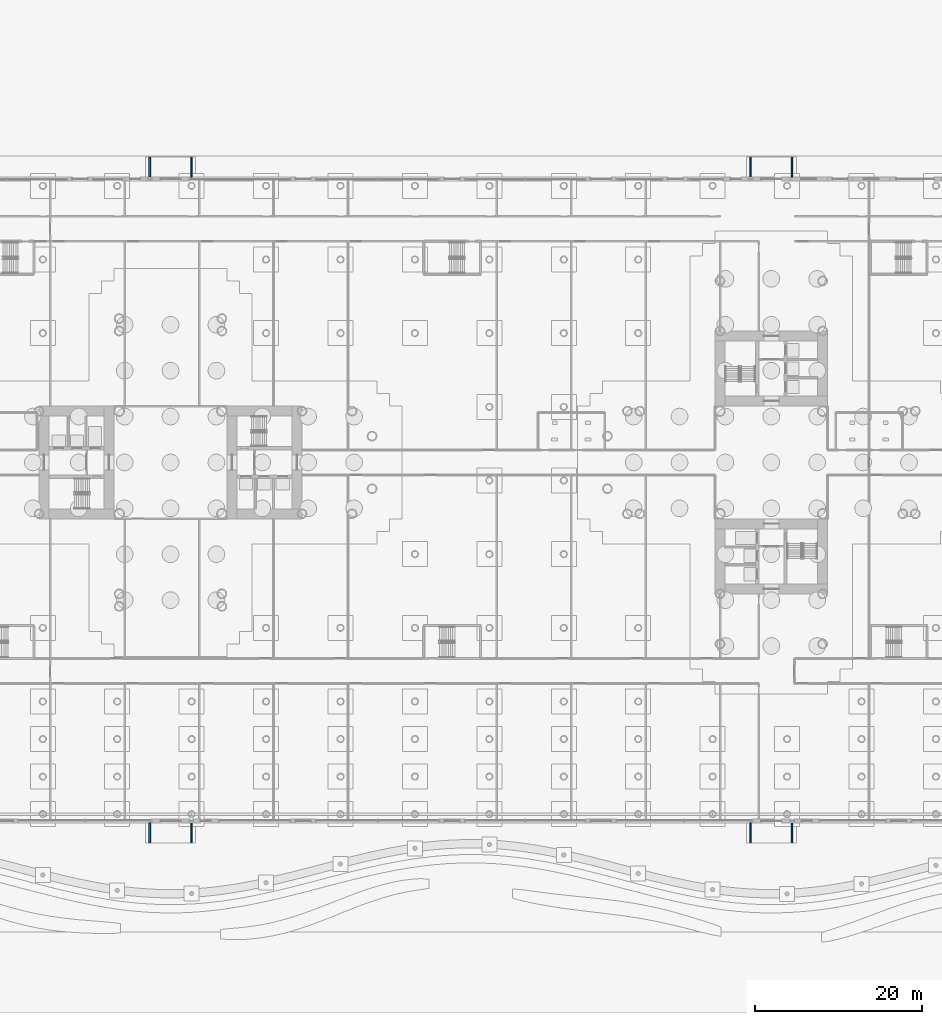
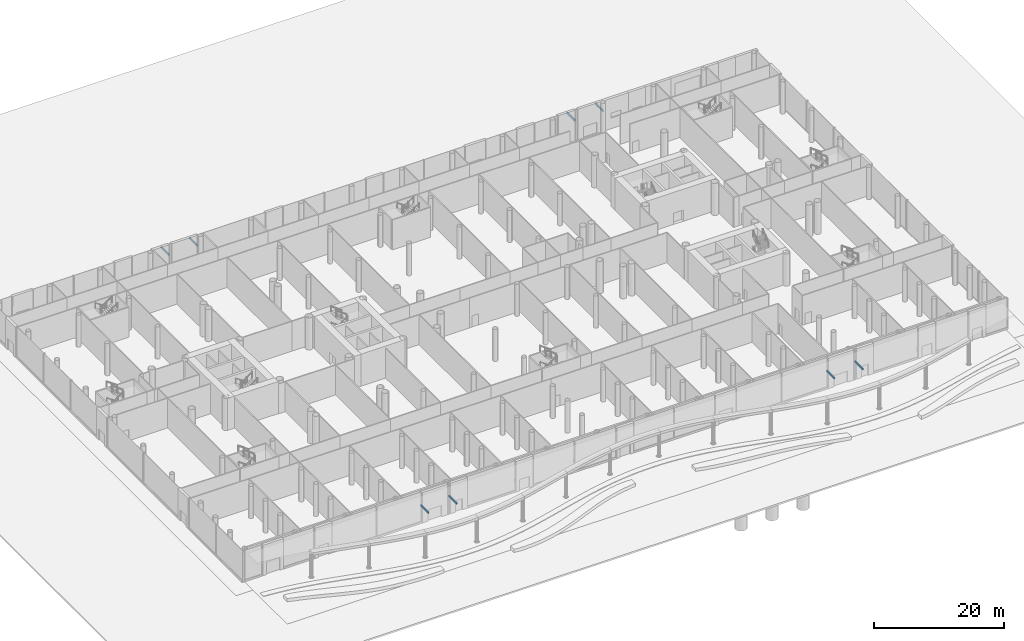
# One storey, part 39 of 75: 8 discrete accessories.
"""IFC4 building model written with IfcOpenShell, lengths in metres."""

from ifc_helpers import new_model, si_unit, direction, frame, origin, origin_2d, place, context, subcontext, project, spatial, rectangle, extrude, material, type_object, element, save


model = new_model("IFC4")

# Units and contexts
model_context = context("Model", 3, precision=1e-05, world=origin(), true_north=direction((0.0, 1.0)))
body_context = subcontext(model_context, "Body", "Model", "MODEL_VIEW")
ifc_project = project(units=[si_unit("LENGTHUNIT", "METRE"), si_unit("AREAUNIT", "SQUARE_METRE"), si_unit("VOLUMEUNIT", "CUBIC_METRE"), si_unit("PLANEANGLEUNIT", "RADIAN"), si_unit("MASSUNIT", "GRAM", prefix="KILO")], contexts=[model_context])

# Site, building, storey
site_placement = place(None, origin())
site = spatial("IfcSite", under=ifc_project, at=site_placement, CompositionType="ELEMENT")
building_placement = place(site_placement, origin())
building = spatial("IfcBuilding", under=site, at=building_placement, Name="Ipe Terrace Towers", CompositionType="ELEMENT")
storey_placement = place(building_placement, origin())
storey = spatial("IfcBuildingStorey", under=building, at=storey_placement, Name="L00", CompositionType="ELEMENT", Elevation=0.0)

# Discrete accessories
ifc_material = material(Name="Stainless steel S316", Category="steel")
discrete_accessory_type = type_object("IfcDiscreteAccessoryType", Name="CANOPY BRACKET", PredefinedType="BRACKET", material=ifc_material)
for number, where, z_axis, x_axis, name in (
    (1, (33.5, 35.389892578125, 3.2998046875), (0.0, 0.0, 1.0), (1.0, 0.0, 0.0), "canopy bracket"),
    (2, (38.5, 35.389892578125, 3.2998046875), (0.0, 0.0, 1.0), (1.0, 0.0, 0.0), "canopy bracket"),
    (3, (-38.5, 35.389892578125, 3.2998046875), (0.0, 0.0, 1.0), (1.0, 0.0, 0.0), "canopy bracket"),
    (4, (-33.5, 35.389892578125, 3.2998046875), (0.0, 0.0, 1.0), (1.0, 0.0, 0.0), "canopy bracket"),
    (5, (-38.5, -44.389892578125, 3.2998046875), (0.0, 0.0, 1.0), (1.0, 0.0, 0.0), "canopy bracket"),
    (6, (-33.5, -44.389892578125, 3.2998046875), (0.0, 0.0, 1.0), (1.0, 0.0, 0.0), "canopy bracket"),
    (7, (33.5, -44.389892578125, 3.2998046875), (0.0, 0.0, 1.0), (1.0, 0.0, 0.0), "canopy bracket"),
    (8, (38.5, -44.389892578125, 3.2998046875), (0.0, 0.0, 1.0), (1.0, 0.0, 0.0), "canopy bracket"),
):
    element("IfcDiscreteAccessory", number, at=place(storey_placement, frame(where, z_axis=z_axis, x_axis=x_axis)), inside=storey, type_object=discrete_accessory_type, Name=name, PredefinedType="BRACKET", context=body_context, shape_type="SweptSolid", body=[
        extrude(rectangle(XDim=0.199951171875, YDim=2.39990234375, at=origin_2d()), origin(), (0.0, 0.0, 1.0), 0.300048828125),
    ])

save(model, "model.ifc")
